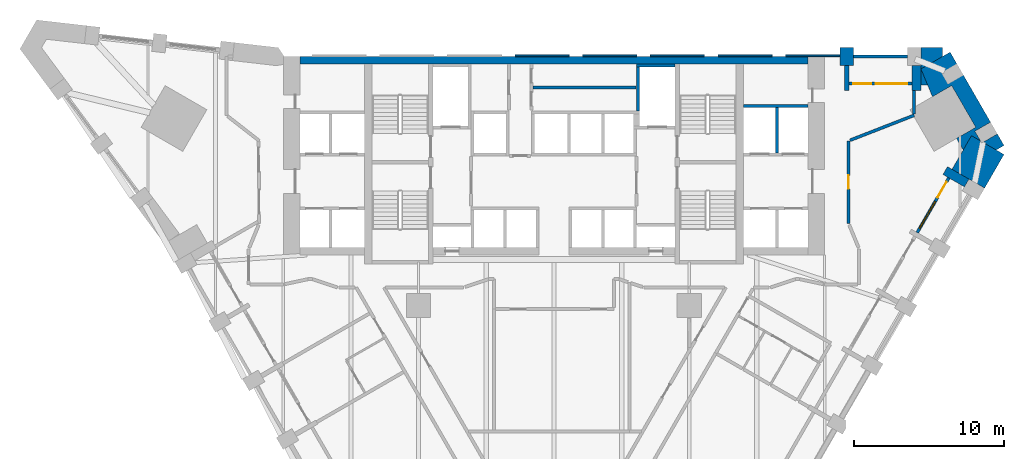
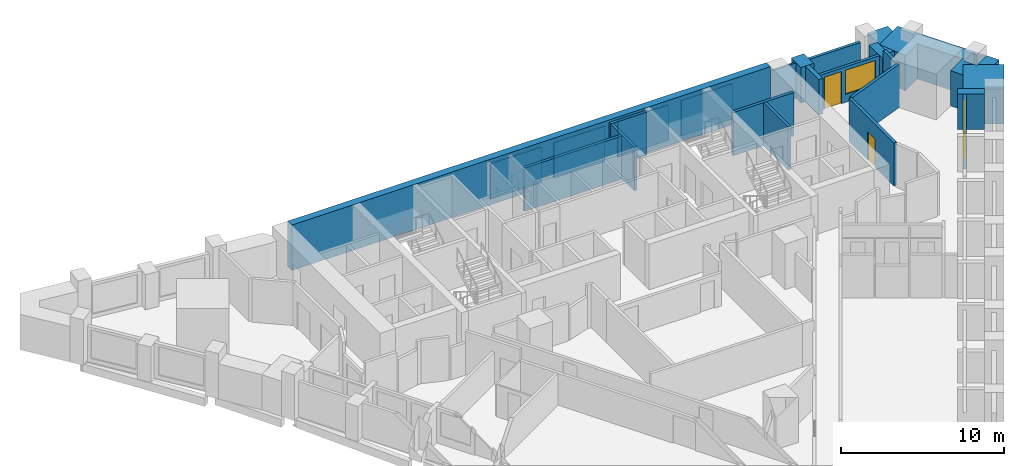
# One storey, part 8 of 10: 25 walls, 3 doors, 2 windows, 5 openings.
"""IFC4 building model written with IfcOpenShell, lengths in metres."""

import ifcopenshell
import ifcopenshell.guid

model = None  # the IFC model being written
_history = None  # IfcOwnerHistory: only IFC2X3 demands one
_inside = {}  # id of a spatial element -> (the spatial element, [elements in it])
_under = {}  # id of a project, library or spatial element -> (it, [spatial elements below it])
_declared = {}  # id of a project -> (the project, [libraries it declares])
_typed = {}  # id of a type object -> (the type object, [elements of that type])
_made_of = {}  # id of a material, layer set ... -> (it, [elements and type objects made of it])


def new_model(schema):
    """Start an empty IFC model of exactly this schema.

    Asked for "IFC4X3", IfcOpenShell would pick the latest addendum, in which some entities
    have other attributes; the version numbers below select the first issue.
    IFC2X3 requires an IfcOwnerHistory on every rooted entity: one is made here for all.
    """
    global model, _history
    if schema == "IFC4X3":
        model = ifcopenshell.file(schema_version=(4, 3, 0, 0))
    else:
        model = ifcopenshell.file(schema=schema)
    _inside.clear()
    _under.clear()
    _declared.clear()
    _typed.clear()
    _made_of.clear()
    _history = None
    if model.schema == "IFC2X3":
        org = make("IfcOrganization", Name="unknown")
        user = make(
            "IfcPersonAndOrganization",
            ThePerson=make("IfcPerson", FamilyName="unknown"),
            TheOrganization=org,
        )
        app = make(
            "IfcApplication",
            ApplicationDeveloper=org,
            Version="unknown",
            ApplicationFullName="unknown",
            ApplicationIdentifier="unknown",
        )
        _history = make(
            "IfcOwnerHistory",
            OwningUser=user,
            OwningApplication=app,
            ChangeAction="ADDED",
            CreationDate=0,
        )
    return model


def make(cls, **values):
    """One entity of the class cls with the attributes given. An attribute that is None is left unset."""
    return model.create_entity(
        cls, **{name: value for name, value in values.items() if value is not None}
    )


def rooted(cls, **values):
    """An entity with a GlobalId (a new one), such as an element, a storey or a relation."""
    return make(cls, GlobalId=ifcopenshell.guid.new(), OwnerHistory=_history, **values)


def si_unit(unit_type, name, prefix=None):
    """IfcSIUnit, for example si_unit("LENGTHUNIT", "METRE", prefix="MILLI")."""
    return make("IfcSIUnit", UnitType=unit_type, Prefix=prefix, Name=name)


def assignment(units):
    """IfcUnitAssignment: the units of a project."""
    return None if units is None else make("IfcUnitAssignment", Units=units)


def point(xyz):
    """IfcCartesianPoint."""
    return None if xyz is None else make("IfcCartesianPoint", Coordinates=xyz)


def direction(xyz):
    """IfcDirection."""
    return None if xyz is None else make("IfcDirection", DirectionRatios=xyz)


def frame(location, z_axis=None, x_axis=None):
    """IfcAxis2Placement3D, a coordinate frame: its origin and axes. An axis left out is left unset."""
    return make(
        "IfcAxis2Placement3D",
        Location=point(location),
        Axis=direction(z_axis),
        RefDirection=direction(x_axis),
    )


def frame_2d(location, x_axis=None):
    """IfcAxis2Placement2D, a coordinate frame in the plane: its origin and x axis."""
    return make(
        "IfcAxis2Placement2D", Location=point(location), RefDirection=direction(x_axis)
    )


def origin():
    """The frame at (0, 0, 0) with its axes left unset."""
    return frame((0.0, 0.0, 0.0))


def place(relative_to, where):
    """IfcLocalPlacement: puts the frame where relative to a parent placement (None: the world)."""
    return make(
        "IfcLocalPlacement", PlacementRelTo=relative_to, RelativePlacement=where
    )


def context(
    kind, dimensions, precision=None, world=None, true_north=None, identifier=None
):
    """IfcGeometricRepresentationContext, for example the 3D "Model" context."""
    return make(
        "IfcGeometricRepresentationContext",
        ContextIdentifier=identifier,
        ContextType=kind,
        CoordinateSpaceDimension=dimensions,
        Precision=precision,
        WorldCoordinateSystem=world,
        TrueNorth=true_north,
    )


def subcontext(parent, identifier, kind, view, scale=None):
    """IfcGeometricRepresentationSubContext, for example "Body" below "Model"."""
    return make(
        "IfcGeometricRepresentationSubContext",
        ContextIdentifier=identifier,
        ContextType=kind,
        ParentContext=parent,
        TargetScale=scale,
        TargetView=view,
    )


def project(units=None, contexts=None):
    """IfcProject with its units and contexts."""
    return rooted(
        "IfcProject",
        Name="project",
        RepresentationContexts=contexts,
        UnitsInContext=assignment(units),
    )


def spatial(cls, under=None, at=None, **own):
    """A site, building, storey or space (cls), placed at a placement, below another one or the project."""
    s = rooted(cls, ObjectPlacement=at, **own)
    if under is not None:
        _under.setdefault(under.id(), (under, []))[1].append(s)
    return s


def polyline(points):
    """IfcPolyline through the points."""
    return make("IfcPolyline", Points=[point(p) for p in points])


def profile(cls, at=None, kind="AREA", **sizes):
    """A parametric profile (cls). Its sizes go by their IFC names, for example OverallWidth=200.0."""
    return make(cls, ProfileType=kind, Position=at, **sizes)


def rectangle(**sizes):
    """IfcRectangleProfileDef."""
    return profile("IfcRectangleProfileDef", **sizes)


def outline(outer, holes=None, kind="AREA"):
    """IfcArbitraryClosedProfileDef: a profile drawn as a closed curve; with holes, ...WithVoids."""
    if holes is None:
        return make("IfcArbitraryClosedProfileDef", ProfileType=kind, OuterCurve=outer)
    return make(
        "IfcArbitraryProfileDefWithVoids",
        ProfileType=kind,
        OuterCurve=outer,
        InnerCurves=holes,
    )


def extrude(swept, where, along, depth):
    """IfcExtrudedAreaSolid: the profile swept, set in the frame where, extruded along a direction by depth."""
    return make(
        "IfcExtrudedAreaSolid",
        SweptArea=swept,
        Position=where,
        ExtrudedDirection=direction(along),
        Depth=depth,
    )


def shape(context_of_items, identifier, shape_type, items):
    """IfcShapeRepresentation: the items that make up one representation, for example the "Body"."""
    return make(
        "IfcShapeRepresentation",
        ContextOfItems=context_of_items,
        RepresentationIdentifier=identifier,
        RepresentationType=shape_type,
        Items=items,
    )


def material(Name=None, Category=None):
    """IfcMaterial."""
    return make("IfcMaterial", Name=Name, Category=Category)


def layer(
    of_material, thickness, ventilated=None, Name=None, Category=None, Priority=None
):
    """IfcMaterialLayer: one layer of a wall or slab, of a material (None: an air gap)."""
    return make(
        "IfcMaterialLayer",
        Material=of_material,
        LayerThickness=thickness,
        IsVentilated=ventilated,
        Name=Name,
        Category=Category,
        Priority=Priority,
    )


def layer_set(layers, Name=None):
    """IfcMaterialLayerSet."""
    return make("IfcMaterialLayerSet", MaterialLayers=layers, LayerSetName=Name)


def made_of(thing, what):
    """Note that an element or type object is made of a material, layer set ...; save() writes the relation."""
    if what is not None:
        _made_of.setdefault(what.id(), (what, []))[1].append(thing)
    return thing


def type_object(cls, material=None, **own):
    """A type object (cls), such as IfcWallType, which elements share."""
    return made_of(rooted(cls, **own), material)


def element(
    cls,
    number,
    at=None,
    inside=None,
    cuts=None,
    type_object=None,
    material=None,
    context=None,
    identifier="Body",
    shape_type=None,
    held_by="IfcProductDefinitionShape",
    body=None,
    shapes=None,
    **own,
):
    """One element of the class cls, such as IfcWall. Its Tag is "e" and its number.

    at: its placement. inside: the storey or other place that contains it. cuts: it is an
    opening in that element (IfcRelVoidsElement). A single representation is given by context,
    identifier, shape_type and body (its items); several are given by shapes. held_by: the class
    of the entity that holds the representations. save() writes the other relations.
    """
    e = rooted(cls, Tag="e%d" % number, ObjectPlacement=at, **own)
    if body is not None:
        shapes = [shape(context, identifier, shape_type, body)]
    if shapes is not None:
        e.Representation = make(held_by, Representations=shapes)
    if inside is not None:
        _inside.setdefault(inside.id(), (inside, []))[1].append(e)
    if cuts is not None:
        rooted(
            "IfcRelVoidsElement", RelatingBuildingElement=cuts, RelatedOpeningElement=e
        )
    if type_object is not None:
        _typed.setdefault(type_object.id(), (type_object, []))[1].append(e)
    return made_of(e, material)


def fill(opening, filler):
    """IfcRelFillsElement: the door or window that sits in an opening."""
    return rooted(
        "IfcRelFillsElement",
        RelatingOpeningElement=opening,
        RelatedBuildingElement=filler,
    )


def aggregate(whole, parts):
    """IfcRelAggregates: a whole, such as a stair, and the parts it consists of."""
    return rooted("IfcRelAggregates", RelatingObject=whole, RelatedObjects=parts)


def save(model, path):
    """Write the relations noted so far, then the file.

    IfcRelAggregates (storeys below a building ...), IfcRelContainedInSpatialStructure (elements
    in a storey), IfcRelDefinesByType, IfcRelAssociatesMaterial and IfcRelDeclares: one each for
    every whole, place, type object, material and project.
    """
    for whole, parts in _under.values():
        aggregate(whole, parts)
    for where, things in _inside.values():
        rooted(
            "IfcRelContainedInSpatialStructure",
            RelatedElements=things,
            RelatingStructure=where,
        )
    for kind, things in _typed.values():
        rooted("IfcRelDefinesByType", RelatedObjects=things, RelatingType=kind)
    for what, things in _made_of.values():
        rooted("IfcRelAssociatesMaterial", RelatedObjects=things, RelatingMaterial=what)
    for by, libraries in _declared.values():
        rooted("IfcRelDeclares", RelatingContext=by, RelatedDefinitions=libraries)
    model.write(path)


model = new_model("IFC4")

# Units and contexts
model_context = context("Model", 3, precision=1e-05, world=origin(), true_north=direction((0.0, 1.0)))
body_context = subcontext(model_context, "Body", "Model", "MODEL_VIEW")
ifc_project = project(units=[si_unit("LENGTHUNIT", "METRE"), si_unit("AREAUNIT", "SQUARE_METRE"), si_unit("VOLUMEUNIT", "CUBIC_METRE"), si_unit("PLANEANGLEUNIT", "RADIAN"), si_unit("MASSUNIT", "GRAM", prefix="KILO")], contexts=[model_context])

# Site, building, storey
site_placement = place(None, origin())
site = spatial("IfcSite", under=ifc_project, at=site_placement, CompositionType="ELEMENT")
building_placement = place(site_placement, origin())
building = spatial("IfcBuilding", under=site, at=building_placement, Name="Calabash Gate Tower", CompositionType="ELEMENT")
storey_placement = place(building_placement, frame((0.0, 0.0, 56.199951171875)))
storey = spatial("IfcBuildingStorey", under=building, at=storey_placement, Name="L09", CompositionType="ELEMENT", Elevation=56.199951171875)

# Walls
ifc_material_1 = material(Name="Terracotta brick masonry, exposed face", Category="masonry")
ifc_layer_1 = layer(ifc_material_1, 2.5)
ifc_layer_set_1 = layer_set([ifc_layer_1], Name="Brick corner mass wall 2500")
wall_type_1 = type_object("IfcWallType", Name="Brick corner mass wall 2500", PredefinedType="SOLIDWALL", material=ifc_layer_set_1)
wall_1_placement = place(storey_placement, origin())
element("IfcWall", 1, at=wall_1_placement, inside=storey, type_object=wall_type_1, Name="Brick corner pier S02 3a", PredefinedType="SOLIDWALL", context=body_context, shape_type="SweptSolid", body=[
    extrude(outline(polyline([(26.478759765625, 11.557373046875), (28.643798828125, 10.307373046875), (29.935302734375, 12.544189453125), (28.53076171875, 13.35498046875), (28.453369140625, 13.310302734375), (28.3759765625, 13.444580078125), (27.770263671875, 13.794189453125), (26.478759765625, 11.557373046875)])), origin(), (0.0, 0.0, 1.0), 2.630126953125),
])
wall_2_placement = place(storey_placement, origin())
element("IfcWall", 2, at=wall_2_placement, inside=storey, type_object=wall_type_1, Name="Brick corner pier S02 3b", PredefinedType="SOLIDWALL", context=body_context, shape_type="SweptSolid", body=[
    extrude(outline(polyline([(27.2216796875, 12.84423828125), (27.770263671875, 13.794189453125), (28.3759765625, 13.444580078125), (28.00341796875, 14.089599609375), (29.042724609375, 14.689697265625), (29.49267578125, 13.910400390625), (28.53076171875, 13.35498046875), (29.41552734375, 12.84423828125), (29.935302734375, 13.144287109375), (26.350830078125, 19.3525390625), (24.413818359375, 18.234375), (25.17724609375, 16.38525390625), (26.45458984375, 17.12255859375), (28.0546875, 14.351318359375), (26.77734375, 13.614013671875), (27.2216796875, 12.84423828125)])), origin(), (0.0, 0.0, 1.0), 2.630126953125),
])
wall_3_placement = place(storey_placement, origin())
element("IfcWall", 3, at=wall_3_placement, inside=storey, type_object=wall_type_1, Name="Brick corner pier S02 3ca", PredefinedType="SOLIDWALL", context=body_context, shape_type="SweptSolid", body=[
    extrude(outline(polyline([(24.413818359375, 17.152587890625), (24.860595703125, 17.152587890625), (24.413818359375, 18.234375), (24.413818359375, 17.152587890625)])), origin(), (0.0, 0.0, 1.0), 2.630126953125),
])
wall_4_placement = place(storey_placement, origin())
element("IfcWall", 4, at=wall_4_placement, inside=storey, type_object=wall_type_1, Name="Brick corner pier S02 3cb", PredefinedType="SOLIDWALL", context=body_context, shape_type="SweptSolid", body=[
    extrude(outline(polyline([(24.4140625, 19.652587890625), (24.4140625, 18.452880859375), (24.413818359375, 18.452880859375), (24.413818359375, 18.234375), (25.831298828125, 19.052490234375), (25.831298828125, 19.652587890625), (24.4140625, 19.652587890625)])), origin(), (0.0, 0.0, 1.0), 2.630126953125),
])
ifc_material_2 = material(Name="Terracotta brick masonry, exposed face", Category="masonry")
ifc_layer_2 = layer(ifc_material_2, 1.199951171875)
ifc_layer_set_2 = layer_set([ifc_layer_2], Name="Brick end wall 1200")
wall_type_2 = type_object("IfcWallType", Name="Brick end wall 1200", PredefinedType="SOLIDWALL", material=ifc_layer_set_2)
wall_5_placement = place(storey_placement, origin())
element("IfcWall", 5, at=wall_5_placement, inside=storey, type_object=wall_type_2, Name="Brick pier S02 N4.1", PredefinedType="SOLIDWALL", context=body_context, shape_type="SweptSolid", body=[
    extrude(outline(polyline([(19.913818359375, 19.652587890625), (19.013916015625, 19.652587890625), (19.013916015625, 18.45263671875), (19.913818359375, 18.45263671875), (19.913818359375, 19.652587890625)])), origin(), (0.0, 0.0, 1.0), 2.650146484375),
])
ifc_material_3 = material(Name="Terracotta brick masonry, exposed face", Category="masonry")
ifc_layer_3 = layer(ifc_material_3, 0.300048828125)
ifc_layer_set_3 = layer_set([ifc_layer_3], Name="Brick loggia cheek wall 300")
wall_type_3 = type_object("IfcWallType", Name="Brick loggia cheek wall 300", PredefinedType="SOLIDWALL", material=ifc_layer_set_3)
wall_6_placement = place(storey_placement, frame((27.454345703125, 10.647705078125, 0.0), z_axis=(0.0, 0.0, 1.0), x_axis=(-0.866003217194, 0.500038426333, 0.0)))
element("IfcWall", 6, at=wall_6_placement, inside=storey, type_object=wall_type_3, Name="Loggia cheek S02 SE2.10", PredefinedType="SOLIDWALL", context=body_context, shape_type="SweptSolid", body=[
    extrude(rectangle(XDim=1.649658203125, YDim=0.60009765625, at=frame_2d((0.82470703125, 0.0))), origin(), (0.0, 0.0, 1.0), 2.650146484375),
])
wall_7_placement = place(storey_placement, origin())
element("IfcWall", 7, at=wall_7_placement, inside=storey, type_object=wall_type_3, Name="Loggia cheek S02 N4.0", PredefinedType="SOLIDWALL", context=body_context, shape_type="SweptSolid", body=[
    extrude(outline(polyline([(24.413818359375, 16.802490234375), (24.413818359375, 18.45263671875), (23.81396484375, 18.45263671875), (23.81396484375, 16.802490234375), (24.413818359375, 16.802490234375)])), origin(), (0.0, 0.0, 1.0), 2.650146484375),
])
wall_8_placement = place(storey_placement, origin())
element("IfcWall", 8, at=wall_8_placement, inside=storey, type_object=wall_type_3, Name="Loggia cheek S02 N4.1", PredefinedType="SOLIDWALL", context=body_context, shape_type="SweptSolid", body=[
    extrude(outline(polyline([(19.31396484375, 18.45263671875), (19.31396484375, 16.802490234375), (19.614013671875, 16.802490234375), (19.614013671875, 18.45263671875), (19.31396484375, 18.45263671875)])), origin(), (0.0, 0.0, 1.0), 2.650146484375),
])
ifc_material_4 = material(Name="Concrete C80/95", Category="concrete")
ifc_layer_4 = layer(ifc_material_4, 0.5)
ifc_layer_set_4 = layer_set([ifc_layer_4], Name="Core wall 500 Concrete C80/95")
wall_type_4 = type_object("IfcWallType", Name="Core wall 500 Concrete C80/95", PredefinedType="SHEAR", material=ifc_layer_set_4)
wall_9_placement = place(storey_placement, frame((-16.89990234375, 18.802490234375, 0.0), z_axis=(0.0, 0.0, 1.0), x_axis=(1.0, 0.0, 0.0)))
element("IfcWall", 9, at=wall_9_placement, inside=storey, type_object=wall_type_4, Name="Core wall Z1-N L09", PredefinedType="SHEAR", context=body_context, shape_type="SweptSolid", body=[
    extrude(rectangle(XDim=33.7998046875, YDim=0.5, at=frame_2d((16.89990234375, 0.0))), origin(), (0.0, 0.0, 1.0), 3.400146484375),
])

# Wall, opening, door
ifc_material_5 = material(Name="Gypsum board on steel studs, mineral wool", Category="steel")
ifc_layer_5 = layer(ifc_material_5, 0.199951171875)
ifc_layer_set_5 = layer_set([ifc_layer_5], Name="Partition 200 gypsum board EI 60")
wall_type_5 = type_object("IfcWallType", Name="Partition 200 gypsum board EI 60", PredefinedType="PARTITIONING", material=ifc_layer_set_5)
wall_10_placement = place(storey_placement, frame((19.6005859375, 7.95263671875, 0.0), z_axis=(0.0, 0.0, 1.0), x_axis=(0.0, 1.0, 0.0)))
wall_10 = element("IfcWall", 10, at=wall_10_placement, inside=storey, type_object=wall_type_5, Name="Partition", PredefinedType="PARTITIONING", context=body_context, shape_type="SweptSolid", body=[
    extrude(rectangle(XDim=5.49951171875, YDim=0.199951171875, at=frame_2d((2.749755859375, 0.0))), origin(), (0.0, 0.0, 1.0), 3.22998046875),
])
opening_1_placement = place(wall_10_placement, frame((2.2998046875, 0.0, 0.0)))
opening_1 = element("IfcOpeningElement", 11, at=opening_1_placement, cuts=wall_10, Name="Opening 09-11-019", PredefinedType="OPENING", context=body_context, shape_type="SweptSolid", body=[
    extrude(rectangle(XDim=0.89990234375, YDim=2.10009765625, at=frame_2d((0.449951171875, 1.050048828125))), frame((0.0, 0.10986328125, 0.0), z_axis=(0.0, -1.0, 0.0), x_axis=(1.0, 0.0, 0.0)), (0.0, 0.0, 1.0), 0.219970703125),
])
ifc_material_6 = material(Name="Steel fire door set with fire-resisting glazing", Category="steel")
door_type_1 = type_object("IfcDoorType", Name="SD3 Store door 900x2100", OperationType="NOTDEFINED", PredefinedType="DOOR", material=ifc_material_6)
door_1_placement = place(opening_1_placement, origin())
door_1 = element("IfcDoor", 12, at=door_1_placement, inside=storey, type_object=door_type_1, Name="Store door", OperationType="SINGLE_SWING_RIGHT", OverallHeight=2.10009765625, OverallWidth=0.89990234375, PredefinedType="DOOR", context=body_context, shape_type="SweptSolid", body=[
    extrude(rectangle(XDim=0.89990234375, YDim=2.10009765625, at=frame_2d((0.449951171875, 1.050048828125))), frame((0.0, 0.02490234375, 0.0), z_axis=(0.0, -1.0, 0.0), x_axis=(1.0, 0.0, 0.0)), (0.0, 0.0, 1.0), 0.050048828125),
])
fill(opening_1, door_1)

# Walls
wall_11_placement = place(storey_placement, frame((19.693603515625, 13.488525390625, 0.0), z_axis=(0.0, 0.0, 1.0), x_axis=(0.931796580006, 0.36298089962, 0.0)))
element("IfcWall", 13, at=wall_11_placement, inside=storey, type_object=wall_type_5, Name="Partition", PredefinedType="PARTITIONING", context=body_context, shape_type="SweptSolid", body=[
    extrude(rectangle(XDim=4.5830078125, YDim=0.199951171875, at=frame_2d((2.29150390625, 0.0))), origin(), (0.0, 0.0, 1.0), 3.22998046875),
])
wall_12_placement = place(storey_placement, frame((23.964111328125, 15.252197265625, 0.0), z_axis=(0.0, 0.0, 1.0), x_axis=(0.000157480313, 0.9999999876, 0.0)))
element("IfcWall", 14, at=wall_12_placement, inside=storey, type_object=wall_type_5, Name="Partition", PredefinedType="PARTITIONING", context=body_context, shape_type="SweptSolid", body=[
    extrude(rectangle(XDim=1.55029296875, YDim=0.199951171875, at=frame_2d((0.775146484375, 0.0))), origin(), (0.0, 0.0, 1.0), 3.22998046875),
])
ifc_material_7 = material(Name="Concrete C40/50", Category="concrete")
ifc_layer_6 = layer(ifc_material_7, 0.199951171875)
ifc_layer_set_6 = layer_set([ifc_layer_6], Name="Shaft wall 200 Concrete C40/50")
wall_type_6 = type_object("IfcWallType", Name="Shaft wall 200 Concrete C40/50", PredefinedType="SOLIDWALL", material=ifc_layer_set_6)
wall_13_placement = place(storey_placement, frame((14.85009765625, 12.652587890625, 0.0), z_axis=(0.0, 0.0, 1.0), x_axis=(0.0, 1.0, 0.0)))
element("IfcWall", 15, at=wall_13_placement, inside=storey, type_object=wall_type_6, Name="Shaft wall", PredefinedType="SOLIDWALL", context=body_context, shape_type="SweptSolid", body=[
    extrude(rectangle(XDim=3.0, YDim=0.199951171875, at=frame_2d((1.5, 0.0))), origin(), (0.0, 0.0, 1.0), 3.22998046875),
])
wall_14_placement = place(storey_placement, frame((5.60009765625, 15.45263671875, 0.0), z_axis=(0.0, 0.0, 1.0), x_axis=(0.0, 1.0, 0.0)))
element("IfcWall", 16, at=wall_14_placement, inside=storey, type_object=wall_type_6, Name="Shaft wall", PredefinedType="SOLIDWALL", context=body_context, shape_type="SweptSolid", body=[
    extrude(rectangle(XDim=2.89990234375, YDim=0.199951171875, at=frame_2d((1.449951171875, 0.0))), origin(), (0.0, 0.0, 1.0), 3.22998046875),
])
wall_15_placement = place(storey_placement, frame((12.60009765625, 15.752685546875, 0.0), z_axis=(0.0, 0.0, 1.0), x_axis=(1.0, 0.0, 0.0)))
element("IfcWall", 17, at=wall_15_placement, inside=storey, type_object=wall_type_6, Name="Shaft wall", PredefinedType="SOLIDWALL", context=body_context, shape_type="SweptSolid", body=[
    extrude(rectangle(XDim=4.2998046875, YDim=0.199951171875, at=frame_2d((2.14990234375, 0.0))), origin(), (0.0, 0.0, 1.0), 3.22998046875),
])
wall_16_placement = place(storey_placement, frame((-1.39990234375, 17.002685546875, 0.0), z_axis=(0.0, 0.0, 1.0), x_axis=(1.0, 0.0, 0.0)))
element("IfcWall", 18, at=wall_16_placement, inside=storey, type_object=wall_type_6, Name="Shaft wall", PredefinedType="SOLIDWALL", context=body_context, shape_type="SweptSolid", body=[
    extrude(rectangle(XDim=6.849853515625, YDim=0.199951171875, at=frame_2d((3.4248046875, 0.0))), origin(), (0.0, 0.0, 1.0), 3.22998046875),
])
wall_17_placement = place(storey_placement, frame((5.5, 18.45263671875, 0.0), z_axis=(0.0, 0.0, 1.0), x_axis=(1.0, 0.0, 0.0)))
element("IfcWall", 19, at=wall_17_placement, inside=storey, type_object=wall_type_6, Name="Shaft wall", PredefinedType="SOLIDWALL", context=body_context, shape_type="SweptSolid", body=[
    extrude(rectangle(XDim=2.550048828125, YDim=0.199951171875, at=frame_2d((1.27490234375, 0.0))), origin(), (0.0, 0.0, 1.0), 3.22998046875),
])
ifc_material_8 = material(Name="Terracotta brick masonry, perforated", Category="masonry")
ifc_layer_7 = layer(ifc_material_8, 0.1201171875)
ifc_layer_set_7 = layer_set([ifc_layer_7], Name="Terracotta jaali cladding B 120")
wall_type_7 = type_object("IfcWallType", Name="Terracotta jaali cladding B 120", PredefinedType="SOLIDWALL", material=ifc_layer_set_7)
wall_18_placement = place(storey_placement, origin())
element("IfcWall", 20, at=wall_18_placement, inside=storey, type_object=wall_type_7, Name="Jaali cladding S02 N4.3", PredefinedType="SOLIDWALL", context=body_context, shape_type="SweptSolid", body=[
    extrude(outline(polyline([(10.913818359375, 19.172607421875), (10.913818359375, 19.052490234375), (14.513916015625, 19.052490234375), (14.513916015625, 19.172607421875), (10.913818359375, 19.172607421875)])), origin(), (0.0, 0.0, 1.0), 2.650146484375),
])
wall_19_placement = place(storey_placement, origin())
element("IfcWall", 21, at=wall_19_placement, inside=storey, type_object=wall_type_7, Name="Jaali cladding S02 N4.5", PredefinedType="SOLIDWALL", context=body_context, shape_type="SweptSolid", body=[
    extrude(outline(polyline([(1.913818359375, 19.172607421875), (1.913818359375, 19.052490234375), (5.513916015625, 19.052490234375), (5.513916015625, 19.172607421875), (1.913818359375, 19.172607421875)])), origin(), (0.0, 0.0, 1.0), 2.650146484375),
])
ifc_material_9 = material(Name="Terracotta brick masonry, perforated", Category="masonry")
ifc_layer_8 = layer(ifc_material_9, 0.199951171875)
ifc_layer_set_8 = layer_set([ifc_layer_8], Name="Terracotta jaali screen B")
wall_type_8 = type_object("IfcWallType", Name="Terracotta jaali screen B", PredefinedType="SOLIDWALL", material=ifc_layer_set_8)
wall_20_placement = place(storey_placement, frame((23.513916015625, 19.052490234375, 0.0), z_axis=(0.0, 0.0, 1.0), x_axis=(-1.0, 0.0, 0.0)))
element("IfcWall", 22, at=wall_20_placement, inside=storey, type_object=wall_type_8, Name="SCREEN B S02 N4.1", PredefinedType="SOLIDWALL", context=body_context, shape_type="SweptSolid", body=[
    extrude(rectangle(XDim=3.60009765625, YDim=0.199951171875, at=frame_2d((1.800048828125, 0.0))), origin(), (0.0, 0.0, 1.0), 2.650146484375),
])
ifc_material_10 = material(Name="Terracotta louvre blades in an aluminium frame", Category="masonry")
ifc_layer_9 = layer(ifc_material_10, 0.1201171875)
ifc_layer_set_9 = layer_set([ifc_layer_9], Name="Terracotta vent louvre cladding 120")
wall_type_9 = type_object("IfcWallType", Name="Terracotta vent louvre cladding 120", PredefinedType="ELEMENTEDWALL", material=ifc_layer_set_9)
wall_21_placement = place(storey_placement, origin())
element("IfcWall", 23, at=wall_21_placement, inside=storey, type_object=wall_type_9, Name="Vent louvre cladding S02 N4.2", PredefinedType="ELEMENTEDWALL", context=body_context, shape_type="SweptSolid", body=[
    extrude(outline(polyline([(15.413818359375, 19.172607421875), (15.413818359375, 19.052490234375), (19.013427734375, 19.052490234375), (19.013427734375, 19.172607421875), (15.413818359375, 19.172607421875)])), origin(), (0.0, 0.0, 1.0), 2.650146484375),
])
wall_22_placement = place(storey_placement, origin())
element("IfcWall", 24, at=wall_22_placement, inside=storey, type_object=wall_type_9, Name="Vent louvre cladding S02 N4.4", PredefinedType="ELEMENTEDWALL", context=body_context, shape_type="SweptSolid", body=[
    extrude(outline(polyline([(6.413818359375, 19.172607421875), (6.413818359375, 19.052490234375), (10.013916015625, 19.052490234375), (10.013916015625, 19.172607421875), (6.413818359375, 19.172607421875)])), origin(), (0.0, 0.0, 1.0), 2.650146484375),
])
wall_23_placement = place(storey_placement, origin())
element("IfcWall", 25, at=wall_23_placement, inside=storey, type_object=wall_type_9, Name="Vent louvre cladding S02 N4.6", PredefinedType="ELEMENTEDWALL", context=body_context, shape_type="SweptSolid", body=[
    extrude(outline(polyline([(-2.586181640625, 19.172607421875), (-2.586181640625, 19.052490234375), (1.013916015625, 19.052490234375), (1.013916015625, 19.172607421875), (-2.586181640625, 19.172607421875)])), origin(), (0.0, 0.0, 1.0), 2.650146484375),
])

# Wall, openings, door, window
ifc_material_11 = material(Name="Aluminium framed window wall with insulated spandrel", Category="aluminium")
ifc_layer_10 = layer(ifc_material_11, 0.199951171875)
ifc_layer_set_10 = layer_set([ifc_layer_10], Name="Window wall 200")
wall_type_10 = type_object("IfcWallType", Name="Window wall 200", PredefinedType="ELEMENTEDWALL", material=ifc_layer_set_10)
wall_24_placement = place(storey_placement, frame((24.165283203125, 7.350341796875, 0.0), z_axis=(0.0, 0.0, 1.0), x_axis=(0.500002543286, 0.866023935413, 0.0)))
wall_24 = element("IfcWall", 26, at=wall_24_placement, inside=storey, type_object=wall_type_10, Name="Window wall S02 SE2.10", PredefinedType="ELEMENTEDWALL", context=body_context, shape_type="SweptSolid", body=[
    extrude(rectangle(XDim=4.2001953125, YDim=0.199951171875, at=frame_2d((2.10009765625, 0.0))), origin(), (0.0, 0.0, 1.0), 2.650146484375),
])
opening_2_placement = place(wall_24_placement, frame((0.300048828125, 0.0, 0.60009765625)))
opening_2 = element("IfcOpeningElement", 27, at=opening_2_placement, cuts=wall_24, Name="Opening HW1", PredefinedType="OPENING", context=body_context, shape_type="SweptSolid", body=[
    extrude(rectangle(XDim=2.10009765625, YDim=1.800048828125, at=frame_2d((1.050048828125, 0.89990234375))), frame((0.0, 0.10986328125, 0.0), z_axis=(0.0, -1.0, 0.0), x_axis=(1.0, 0.0, 0.0)), (0.0, 0.0, 1.0), 0.219970703125),
])
opening_3_placement = place(wall_24_placement, frame((2.699951171875, 0.0, 0.0)))
opening_3 = element("IfcOpeningElement", 28, at=opening_3_placement, cuts=wall_24, Name="Opening H2-022", PredefinedType="OPENING", context=body_context, shape_type="SweptSolid", body=[
    extrude(rectangle(XDim=1.199951171875, YDim=2.39990234375, at=frame_2d((0.60009765625, 1.199951171875))), frame((0.0, 0.10986328125, 0.0), z_axis=(0.0, -1.0, 0.0), x_axis=(1.0, 0.0, 0.0)), (0.0, 0.0, 1.0), 0.219970703125),
])
ifc_material_12 = material(Name="Anodised aluminium frame, bronze finish, impact-rated laminated clear glazing", Category="aluminium")
door_type_2 = type_object("IfcDoorType", Name="Loggia door DH1 1200x2400", OperationType="SLIDING_TO_LEFT", PredefinedType="DOOR", material=ifc_material_12)
door_2_placement = place(opening_3_placement, origin())
door_2 = element("IfcDoor", 29, at=door_2_placement, inside=storey, type_object=door_type_2, Name="Loggia door S02 SE2.10", OperationType="SINGLE_SWING_LEFT", OverallHeight=2.39990234375, OverallWidth=1.199951171875, PredefinedType="DOOR", context=body_context, shape_type="SweptSolid", body=[
    extrude(rectangle(XDim=1.199951171875, YDim=2.39990234375, at=frame_2d((0.60009765625, 1.199951171875))), frame((0.0, 0.02490234375, 0.0), z_axis=(0.0, -1.0, 0.0), x_axis=(1.0, 0.0, 0.0)), (0.0, 0.0, 1.0), 0.050048828125),
])
fill(opening_3, door_2)
ifc_material_13 = material(Name="Anodised aluminium frame, bronze finish, impact-rated laminated clear glazing", Category="aluminium")
window_type = type_object("IfcWindowType", Name="Window HW1 2100x1800", PartitioningType="DOUBLE_PANEL_VERTICAL", PredefinedType="WINDOW", material=ifc_material_13)
window_1_placement = place(opening_2_placement, origin())
window_1 = element("IfcWindow", 30, at=window_1_placement, inside=storey, type_object=window_type, Name="Window HW1 S02 SE2.10", OverallHeight=1.800048828125, OverallWidth=2.10009765625, PartitioningType="SINGLE_PANEL", PredefinedType="WINDOW", context=body_context, shape_type="SweptSolid", body=[
    extrude(rectangle(XDim=2.10009765625, YDim=1.800048828125, at=frame_2d((1.050048828125, 0.89990234375))), frame((0.0, 0.030029296875, 0.0), z_axis=(0.0, -1.0, 0.0), x_axis=(1.0, 0.0, 0.0)), (0.0, 0.0, 1.0), 0.06005859375),
])
fill(opening_2, window_1)

wall_25_placement = place(storey_placement, frame((23.81396484375, 17.25244140625, 0.0), z_axis=(0.0, 0.0, 1.0), x_axis=(-1.0, 0.0, 0.0)))
wall_25 = element("IfcWall", 31, at=wall_25_placement, inside=storey, type_object=wall_type_10, Name="Window wall S02 N4.1", PredefinedType="ELEMENTEDWALL", context=body_context, shape_type="SweptSolid", body=[
    extrude(rectangle(XDim=4.199951171875, YDim=0.199951171875, at=frame_2d((2.10009765625, 0.0))), origin(), (0.0, 0.0, 1.0), 2.650146484375),
])
opening_4_placement = place(wall_25_placement, frame((0.300048828125, 0.0, 0.60009765625)))
opening_4 = element("IfcOpeningElement", 32, at=opening_4_placement, cuts=wall_25, Name="Opening HW1", PredefinedType="OPENING", context=body_context, shape_type="SweptSolid", body=[
    extrude(rectangle(XDim=2.10009765625, YDim=1.800048828125, at=frame_2d((1.050048828125, 0.89990234375))), frame((0.0, 0.10986328125, 0.0), z_axis=(0.0, -1.0, 0.0), x_axis=(1.0, 0.0, 0.0)), (0.0, 0.0, 1.0), 0.219970703125),
])
opening_5_placement = place(wall_25_placement, frame((2.699951171875, 0.0, 0.0)))
opening_5 = element("IfcOpeningElement", 33, at=opening_5_placement, cuts=wall_25, Name="Opening H2-017", PredefinedType="OPENING", context=body_context, shape_type="SweptSolid", body=[
    extrude(rectangle(XDim=1.199951171875, YDim=2.39990234375, at=frame_2d((0.60009765625, 1.199951171875))), frame((0.0, 0.10986328125, 0.0), z_axis=(0.0, -1.0, 0.0), x_axis=(1.0, 0.0, 0.0)), (0.0, 0.0, 1.0), 0.219970703125),
])
door_3_placement = place(opening_5_placement, origin())
door_3 = element("IfcDoor", 34, at=door_3_placement, inside=storey, type_object=door_type_2, Name="Loggia door S02 N4.1", OperationType="SINGLE_SWING_LEFT", OverallHeight=2.39990234375, OverallWidth=1.199951171875, PredefinedType="DOOR", context=body_context, shape_type="SweptSolid", body=[
    extrude(rectangle(XDim=1.199951171875, YDim=2.39990234375, at=frame_2d((0.60009765625, 1.199951171875))), frame((0.0, 0.02490234375, 0.0), z_axis=(0.0, -1.0, 0.0), x_axis=(1.0, 0.0, 0.0)), (0.0, 0.0, 1.0), 0.050048828125),
])
fill(opening_5, door_3)
window_2_placement = place(opening_4_placement, origin())
window_2 = element("IfcWindow", 35, at=window_2_placement, inside=storey, type_object=window_type, Name="Window HW1 S02 N4.1", OverallHeight=1.800048828125, OverallWidth=2.10009765625, PartitioningType="SINGLE_PANEL", PredefinedType="WINDOW", context=body_context, shape_type="SweptSolid", body=[
    extrude(rectangle(XDim=2.10009765625, YDim=1.800048828125, at=frame_2d((1.050048828125, 0.89990234375))), frame((0.0, 0.030029296875, 0.0), z_axis=(0.0, -1.0, 0.0), x_axis=(1.0, 0.0, 0.0)), (0.0, 0.0, 1.0), 0.06005859375),
])
fill(opening_4, window_2)

save(model, "model.ifc")
